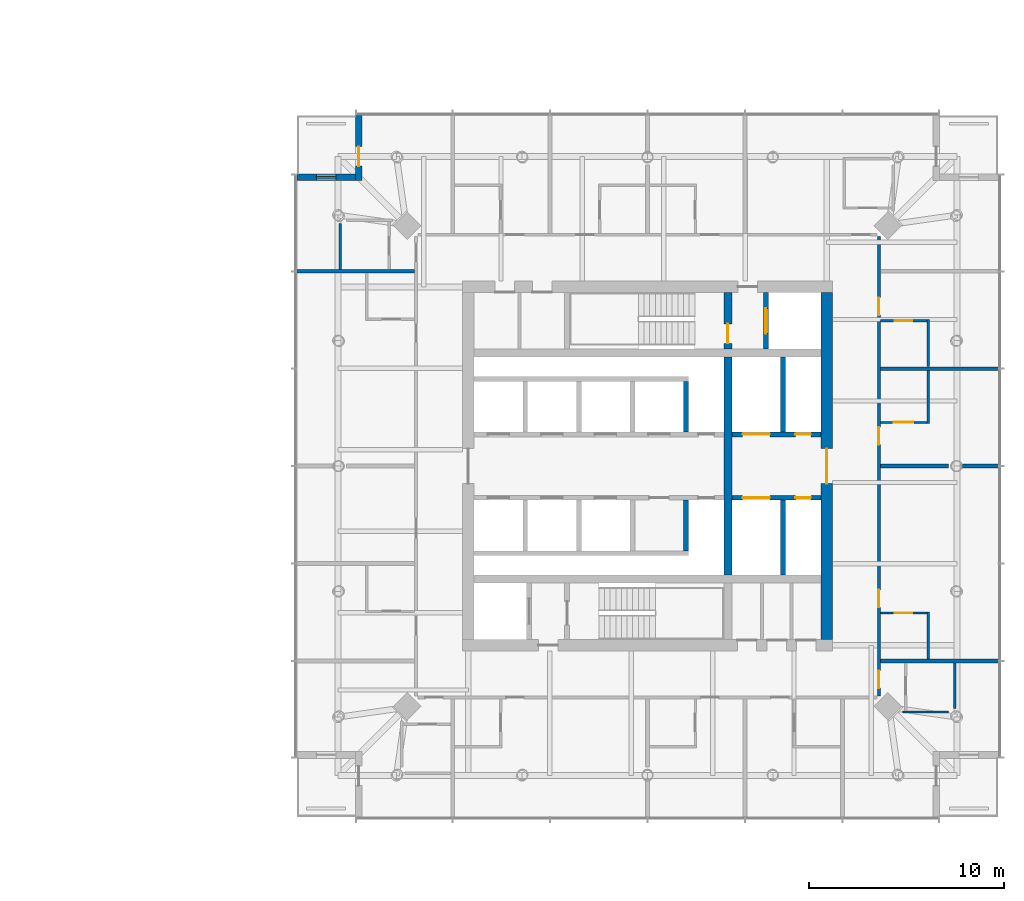
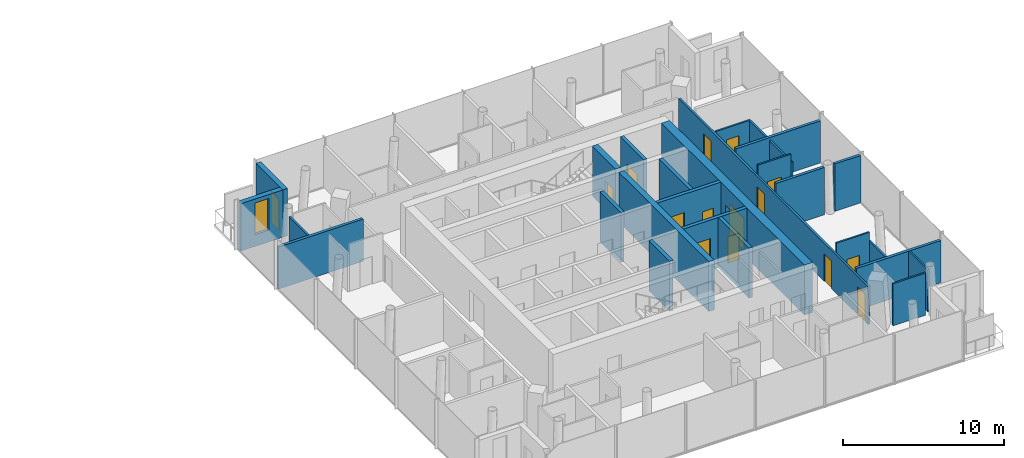
# One storey, part 14 of 18: 27 walls, 15 doors, 1 window, 16 openings.
"""IFC4 building model written with IfcOpenShell, lengths in metres."""

from ifc_helpers import new_model, si_unit, direction, frame, frame_2d, origin, place, context, subcontext, project, spatial, rectangle, extrude, material, layer, layer_set, type_object, element, fill, save


model = new_model("IFC4")

# Units and contexts
model_context = context("Model", 3, precision=1e-05, world=origin(), true_north=direction((0.0, 1.0)))
body_context = subcontext(model_context, "Body", "Model", "MODEL_VIEW")
ifc_project = project(units=[si_unit("LENGTHUNIT", "METRE"), si_unit("AREAUNIT", "SQUARE_METRE"), si_unit("VOLUMEUNIT", "CUBIC_METRE"), si_unit("PLANEANGLEUNIT", "RADIAN"), si_unit("MASSUNIT", "GRAM", prefix="KILO")], contexts=[model_context])

# Site, building, storey
site_placement = place(None, origin())
site = spatial("IfcSite", under=ifc_project, at=site_placement, CompositionType="ELEMENT")
building_placement = place(site_placement, origin())
building = spatial("IfcBuilding", under=site, at=building_placement, Name="Ostroluk Exchange", CompositionType="ELEMENT")
storey_placement = place(building_placement, frame((0.0, 0.0, 93.199951171875)))
storey = spatial("IfcBuildingStorey", under=building, at=storey_placement, Name="L23", CompositionType="ELEMENT", Elevation=93.199951171875)

# Wall
ifc_material_1 = material(Name="Concrete C50/60", Category="concrete")
ifc_layer_1 = layer(ifc_material_1, 0.39990234375)
ifc_layer_set_1 = layer_set([ifc_layer_1], Name="Core cross wall 400 C50/60")
wall_type_1 = type_object("IfcWallType", Name="Core cross wall 400 C50/60", PredefinedType="SHEAR", material=ifc_layer_set_1)
wall_1_placement = place(storey_placement, frame((121.1298828125, 40.39990234375, 0.0), z_axis=(0.0, 0.0, 1.0), x_axis=(0.0, 1.0, 0.0)))
element("IfcWall", 1, at=wall_1_placement, inside=storey, type_object=wall_type_1, Name="T2 core wall YE2", PredefinedType="SHEAR", context=body_context, shape_type="SweptSolid", body=[
    extrude(rectangle(XDim=11.2001953125, YDim=0.39990234375, at=frame_2d((5.60009765625, 0.0))), origin(), (0.0, 0.0, 1.0), 3.800048828125),
])

# Wall, opening, door
wall_2_placement = place(storey_placement, frame((121.1298828125, 52.0, 0.0), z_axis=(0.0, 0.0, 1.0), x_axis=(0.0, 1.0, 0.0)))
wall_2 = element("IfcWall", 2, at=wall_2_placement, inside=storey, type_object=wall_type_1, Name="T2 core wall YE3", PredefinedType="SHEAR", context=body_context, shape_type="SweptSolid", body=[
    extrude(rectangle(XDim=2.89990234375, YDim=0.39990234375, at=frame_2d((1.449951171875, 0.0))), origin(), (0.0, 0.0, 1.0), 3.800048828125),
])
opening_1_placement = place(wall_2_placement, frame((0.300048828125, 0.0, 0.0)))
opening_1 = element("IfcOpeningElement", 3, at=opening_1_placement, cuts=wall_2, Name="Opening FD60", PredefinedType="OPENING", context=body_context, shape_type="SweptSolid", body=[
    extrude(rectangle(XDim=1.0, YDim=2.10009765625, at=frame_2d((0.5, 1.050048828125))), frame((0.0, 0.2099609375, 0.0), z_axis=(0.0, -1.0, 0.0), x_axis=(1.0, 0.0, 0.0)), (0.0, 0.0, 1.0), 0.419921875),
])
ifc_material_2 = material(Name="Steel", Category="steel")
door_type_1 = type_object("IfcDoorType", Name="Fire door EI 60 1000 x 2100", OperationType="SINGLE_SWING_LEFT", PredefinedType="DOOR", material=ifc_material_2)
door_1_placement = place(opening_1_placement, origin())
door_1 = element("IfcDoor", 4, at=door_1_placement, inside=storey, type_object=door_type_1, Name="Stair T2-S2 door", OperationType="SINGLE_SWING_LEFT", OverallHeight=2.10009765625, OverallWidth=1.0, PredefinedType="DOOR", context=body_context, shape_type="SweptSolid", body=[
    extrude(rectangle(XDim=1.0, YDim=2.10009765625, at=frame_2d((0.5, 1.050048828125))), frame((0.0, 0.02490234375, 0.0), z_axis=(0.0, -1.0, 0.0), x_axis=(1.0, 0.0, 0.0)), (0.0, 0.0, 1.0), 0.050048828125),
])
fill(opening_1, door_1)

ifc_material_3 = material(Name="Concrete C40/50", Category="concrete")
ifc_layer_2 = layer(ifc_material_3, 0.25)
ifc_layer_set_2 = layer_set([ifc_layer_2], Name="Core shaft wall 250")
wall_type_2 = type_object("IfcWallType", Name="Core shaft wall 250", PredefinedType="SHEAR", material=ifc_layer_set_2)
wall_3_placement = place(storey_placement, frame((123.074951171875, 52.0, 0.0), z_axis=(0.0, 0.0, 1.0), x_axis=(0.0, 1.0, 0.0)))
wall_3 = element("IfcWall", 5, at=wall_3_placement, inside=storey, type_object=wall_type_2, Name="Firefighting lift shaft wall", PredefinedType="SHEAR", context=body_context, shape_type="SweptSolid", body=[
    extrude(rectangle(XDim=2.89990234375, YDim=0.25, at=frame_2d((1.449951171875, 0.0))), origin(), (0.0, 0.0, 1.0), 3.800048828125),
])
opening_2_placement = place(wall_3_placement, frame((0.800048828125, 0.0, 0.0)))
opening_2 = element("IfcOpeningElement", 6, at=opening_2_placement, cuts=wall_3, Name="Opening LD2", PredefinedType="OPENING", context=body_context, shape_type="SweptSolid", body=[
    extrude(rectangle(XDim=1.300048828125, YDim=2.199951171875, at=frame_2d((0.64990234375, 1.10009765625))), frame((0.0, 0.135009765625, 0.0), z_axis=(0.0, -1.0, 0.0), x_axis=(1.0, 0.0, 0.0)), (0.0, 0.0, 1.0), 0.27001953125),
])
ifc_material_4 = material(Name="Stainless steel", Category="steel")
door_type_2 = type_object("IfcDoorType", Name="Lift landing door E 60 1300 x 2200", OperationType="DOUBLE_DOOR_SLIDING", PredefinedType="DOOR", material=ifc_material_4)
door_2_placement = place(opening_2_placement, origin())
door_2 = element("IfcDoor", 7, at=door_2_placement, inside=storey, type_object=door_type_2, Name="Lift HF2 landing door", OperationType="DOUBLE_DOOR_SLIDING", OverallHeight=2.199951171875, OverallWidth=1.300048828125, PredefinedType="DOOR", context=body_context, shape_type="SweptSolid", body=[
    extrude(rectangle(XDim=1.300048828125, YDim=2.199951171875, at=frame_2d((0.64990234375, 1.10009765625))), frame((0.0, 0.02490234375, 0.0), z_axis=(0.0, -1.0, 0.0), x_axis=(1.0, 0.0, 0.0)), (0.0, 0.0, 1.0), 0.050048828125),
])
fill(opening_2, door_2)

# Walls
for number, where, z_axis, x_axis, name in (
    (8, (118.97509765625, 47.75, 0.0), (0.0, 0.0, 1.0), (0.0, 1.0, 0.0), "Lift shaft wall"),
    (9, (118.97509765625, 44.25, 0.0), (0.0, 0.0, 1.0), (0.0, -1.0, 0.0), "Lift shaft wall"),
):
    element("IfcWall", number, at=place(storey_placement, frame(where, z_axis=z_axis, x_axis=x_axis)), inside=storey, type_object=wall_type_2, Name=name, PredefinedType="SHEAR", context=body_context, shape_type="SweptSolid", body=[
        extrude(rectangle(XDim=2.60009765625, YDim=0.25, at=frame_2d((1.300048828125, 0.0))), origin(), (0.0, 0.0, 1.0), 3.800048828125),
    ])
wall_4_placement = place(storey_placement, frame((123.955078125, 47.75, 0.0), z_axis=(0.0, 0.0, 1.0), x_axis=(0.0, 1.0, 0.0)))
element("IfcWall", 10, at=wall_4_placement, inside=storey, type_object=wall_type_2, Name="Lift shaft wall", PredefinedType="SHEAR", context=body_context, shape_type="SweptSolid", body=[
    extrude(rectangle(XDim=3.85009765625, YDim=0.25, at=frame_2d((1.925048828125, 0.0))), origin(), (0.0, 0.0, 1.0), 3.800048828125),
])

# Wall, openings, doors
wall_5_placement = place(storey_placement, frame((121.330078125, 47.625, 0.0), z_axis=(0.0, 0.0, 1.0), x_axis=(1.0, 0.0, 0.0)))
wall_5 = element("IfcWall", 11, at=wall_5_placement, inside=storey, type_object=wall_type_2, Name="Lift shaft front wall", PredefinedType="SHEAR", context=body_context, shape_type="SweptSolid", body=[
    extrude(rectangle(XDim=4.56982421875, YDim=0.25, at=frame_2d((2.284912109375, 0.0))), origin(), (0.0, 0.0, 1.0), 3.800048828125),
])
opening_3_placement = place(wall_5_placement, frame((0.550048828125, 0.0, 0.0)))
opening_3 = element("IfcOpeningElement", 12, at=opening_3_placement, cuts=wall_5, Name="Opening LD3", PredefinedType="OPENING", context=body_context, shape_type="SweptSolid", body=[
    extrude(rectangle(XDim=1.39990234375, YDim=2.39990234375, at=frame_2d((0.699951171875, 1.199951171875))), frame((0.0, 0.135009765625, 0.0), z_axis=(0.0, -1.0, 0.0), x_axis=(1.0, 0.0, 0.0)), (0.0, 0.0, 1.0), 0.27001953125),
])
opening_4_placement = place(wall_5_placement, frame((3.260009765625, 0.0, 0.0)))
opening_4 = element("IfcOpeningElement", 13, at=opening_4_placement, cuts=wall_5, Name="Opening RD60", PredefinedType="OPENING", context=body_context, shape_type="SweptSolid", body=[
    extrude(rectangle(XDim=0.800048828125, YDim=2.0, at=frame_2d((0.39990234375, 1.0))), frame((0.0, 0.135009765625, 0.0), z_axis=(0.0, -1.0, 0.0), x_axis=(1.0, 0.0, 0.0)), (0.0, 0.0, 1.0), 0.27001953125),
])
ifc_material_5 = material(Name="Stainless steel", Category="steel")
door_type_3 = type_object("IfcDoorType", Name="Goods lift landing door E 60 1400 x 2400", OperationType="DOUBLE_DOOR_SLIDING", PredefinedType="DOOR", material=ifc_material_5)
door_3_placement = place(opening_3_placement, origin())
door_3 = element("IfcDoor", 14, at=door_3_placement, inside=storey, type_object=door_type_3, Name="Lift HS1 landing door", OperationType="DOUBLE_DOOR_SLIDING", OverallHeight=2.39990234375, OverallWidth=1.39990234375, PredefinedType="DOOR", context=body_context, shape_type="SweptSolid", body=[
    extrude(rectangle(XDim=1.39990234375, YDim=2.39990234375, at=frame_2d((0.699951171875, 1.199951171875))), frame((0.0, 0.02490234375, 0.0), z_axis=(0.0, -1.0, 0.0), x_axis=(1.0, 0.0, 0.0)), (0.0, 0.0, 1.0), 0.050048828125),
])
fill(opening_3, door_3)
ifc_material_6 = material(Name="Steel", Category="steel")
door_type_4 = type_object("IfcDoorType", Name="Riser access door EI 60 800 x 2000", OperationType="SINGLE_SWING_LEFT", PredefinedType="DOOR", material=ifc_material_6)
door_4_placement = place(opening_4_placement, origin())
door_4 = element("IfcDoor", 15, at=door_4_placement, inside=storey, type_object=door_type_4, Name="Riser access door", OperationType="SINGLE_SWING_RIGHT", OverallHeight=2.0, OverallWidth=0.800048828125, PredefinedType="DOOR", context=body_context, shape_type="SweptSolid", body=[
    extrude(rectangle(XDim=0.800048828125, YDim=2.0, at=frame_2d((0.39990234375, 1.0))), frame((0.0, 0.02490234375, 0.0), z_axis=(0.0, -1.0, 0.0), x_axis=(1.0, 0.0, 0.0)), (0.0, 0.0, 1.0), 0.050048828125),
])
fill(opening_4, door_4)

# Wall
wall_6_placement = place(storey_placement, frame((123.955078125, 44.25, 0.0), z_axis=(0.0, 0.0, 1.0), x_axis=(0.0, -1.0, 0.0)))
element("IfcWall", 16, at=wall_6_placement, inside=storey, type_object=wall_type_2, Name="Lift shaft wall", PredefinedType="SHEAR", context=body_context, shape_type="SweptSolid", body=[
    extrude(rectangle(XDim=3.85009765625, YDim=0.25, at=frame_2d((1.925048828125, 0.0))), origin(), (0.0, 0.0, 1.0), 3.800048828125),
])

# Wall, openings, doors
wall_7_placement = place(storey_placement, frame((121.330078125, 44.375, 0.0), z_axis=(0.0, 0.0, 1.0), x_axis=(1.0, 0.0, 0.0)))
wall_7 = element("IfcWall", 17, at=wall_7_placement, inside=storey, type_object=wall_type_2, Name="Lift shaft front wall", PredefinedType="SHEAR", context=body_context, shape_type="SweptSolid", body=[
    extrude(rectangle(XDim=4.56982421875, YDim=0.25, at=frame_2d((2.284912109375, 0.0))), origin(), (0.0, 0.0, 1.0), 3.800048828125),
])
opening_5_placement = place(wall_7_placement, frame((0.550048828125, 0.0, 0.0)))
opening_5 = element("IfcOpeningElement", 18, at=opening_5_placement, cuts=wall_7, Name="Opening LD3", PredefinedType="OPENING", context=body_context, shape_type="SweptSolid", body=[
    extrude(rectangle(XDim=1.39990234375, YDim=2.39990234375, at=frame_2d((0.699951171875, 1.199951171875))), frame((0.0, 0.135009765625, 0.0), z_axis=(0.0, -1.0, 0.0), x_axis=(1.0, 0.0, 0.0)), (0.0, 0.0, 1.0), 0.27001953125),
])
opening_6_placement = place(wall_7_placement, frame((3.260009765625, 0.0, 0.0)))
opening_6 = element("IfcOpeningElement", 19, at=opening_6_placement, cuts=wall_7, Name="Opening RD60", PredefinedType="OPENING", context=body_context, shape_type="SweptSolid", body=[
    extrude(rectangle(XDim=0.800048828125, YDim=2.0, at=frame_2d((0.39990234375, 1.0))), frame((0.0, 0.135009765625, 0.0), z_axis=(0.0, -1.0, 0.0), x_axis=(1.0, 0.0, 0.0)), (0.0, 0.0, 1.0), 0.27001953125),
])
door_5_placement = place(opening_5_placement, origin())
door_5 = element("IfcDoor", 20, at=door_5_placement, inside=storey, type_object=door_type_3, Name="Lift HS2 landing door", OperationType="DOUBLE_DOOR_SLIDING", OverallHeight=2.39990234375, OverallWidth=1.39990234375, PredefinedType="DOOR", context=body_context, shape_type="SweptSolid", body=[
    extrude(rectangle(XDim=1.39990234375, YDim=2.39990234375, at=frame_2d((0.699951171875, 1.199951171875))), frame((0.0, 0.02490234375, 0.0), z_axis=(0.0, -1.0, 0.0), x_axis=(1.0, 0.0, 0.0)), (0.0, 0.0, 1.0), 0.050048828125),
])
fill(opening_5, door_5)
door_6_placement = place(opening_6_placement, origin())
door_6 = element("IfcDoor", 21, at=door_6_placement, inside=storey, type_object=door_type_4, Name="Riser access door", OperationType="SINGLE_SWING_RIGHT", OverallHeight=2.0, OverallWidth=0.800048828125, PredefinedType="DOOR", context=body_context, shape_type="SweptSolid", body=[
    extrude(rectangle(XDim=0.800048828125, YDim=2.0, at=frame_2d((0.39990234375, 1.0))), frame((0.0, 0.02490234375, 0.0), z_axis=(0.0, -1.0, 0.0), x_axis=(1.0, 0.0, 0.0)), (0.0, 0.0, 1.0), 0.050048828125),
])
fill(opening_6, door_6)

# Wall, opening, door
ifc_material_7 = material(Name="Concrete C50/60", Category="concrete")
ifc_layer_3 = layer(ifc_material_7, 0.60009765625)
ifc_layer_set_3 = layer_set([ifc_layer_3], Name="Core wall 600 C50/60")
wall_type_3 = type_object("IfcWallType", Name="Core wall 600 C50/60", PredefinedType="SHEAR", material=ifc_layer_set_3)
wall_8_placement = place(storey_placement, frame((126.199951171875, 37.10009765625, 0.0), z_axis=(0.0, 0.0, 1.0), x_axis=(0.0, 1.0, 0.0)))
wall_8 = element("IfcWall", 22, at=wall_8_placement, inside=storey, type_object=wall_type_3, Name="T2 core wall E", PredefinedType="SHEAR", context=body_context, shape_type="SweptSolid", body=[
    extrude(rectangle(XDim=17.7998046875, YDim=0.60009765625, at=frame_2d((8.89990234375, 0.0))), origin(), (0.0, 0.0, 1.0), 3.800048828125),
])
opening_7_placement = place(wall_8_placement, frame((8.0, 0.0, 0.0)))
opening_7 = element("IfcOpeningElement", 23, at=opening_7_placement, cuts=wall_8, Name="Opening FD30D", PredefinedType="OPENING", context=body_context, shape_type="SweptSolid", body=[
    extrude(rectangle(XDim=1.800048828125, YDim=2.39990234375, at=frame_2d((0.89990234375, 1.199951171875))), frame((0.0, 0.31005859375, 0.0), z_axis=(0.0, -1.0, 0.0), x_axis=(1.0, 0.0, 0.0)), (0.0, 0.0, 1.0), 0.6201171875),
])
ifc_material_8 = material(Name="Timber", Category="wood")
door_type_5 = type_object("IfcDoorType", Name="Lobby double door EI 30 1800 x 2400", OperationType="DOUBLE_DOOR_SINGLE_SWING", PredefinedType="DOOR", material=ifc_material_8)
door_7_placement = place(opening_7_placement, origin())
door_7 = element("IfcDoor", 24, at=door_7_placement, inside=storey, type_object=door_type_5, Name="Lift lobby doors", OperationType="DOUBLE_DOOR_SINGLE_SWING", OverallHeight=2.39990234375, OverallWidth=1.800048828125, PredefinedType="DOOR", context=body_context, shape_type="SweptSolid", body=[
    extrude(rectangle(XDim=1.800048828125, YDim=2.39990234375, at=frame_2d((0.89990234375, 1.199951171875))), frame((0.0, 0.02490234375, 0.0), z_axis=(0.0, -1.0, 0.0), x_axis=(1.0, 0.0, 0.0)), (0.0, 0.0, 1.0), 0.050048828125),
])
fill(opening_7, door_7)

ifc_material_9 = material(Name="Limestone", Category="masonry")
ifc_layer_4 = layer(ifc_material_9, 0.35009765625)
ifc_layer_set_4 = layer_set([ifc_layer_4], Name="Limestone facade wall 350")
wall_type_4 = type_object("IfcWallType", Name="Limestone facade wall 350", PredefinedType="SOLIDWALL", material=ifc_layer_set_4)
wall_9_placement = place(storey_placement, frame((102.175048828125, 64.0, 0.0), z_axis=(0.0, 0.0, 1.0), x_axis=(0.0, -1.0, 0.0)))
wall_9 = element("IfcWall", 25, at=wall_9_placement, inside=storey, type_object=wall_type_4, Name="Hotel tower NW corner wall L23 a", PredefinedType="SOLIDWALL", context=body_context, shape_type="SweptSolid", body=[
    extrude(rectangle(XDim=3.35009765625, YDim=0.35009765625, at=frame_2d((1.675048828125, 0.0))), origin(), (0.0, 0.0, 1.0), 3.60009765625),
])
opening_8_placement = place(wall_9_placement, frame((1.60009765625, 0.0, 0.0)))
opening_8 = element("IfcOpeningElement", 26, at=opening_8_placement, cuts=wall_9, Name="Opening D-B1", PredefinedType="OPENING", context=body_context, shape_type="SweptSolid", body=[
    extrude(rectangle(XDim=1.0, YDim=2.39990234375, at=frame_2d((0.5, 1.199951171875))), frame((0.0, 0.18505859375, 0.0), z_axis=(0.0, -1.0, 0.0), x_axis=(1.0, 0.0, 0.0)), (0.0, 0.0, 1.0), 0.3701171875),
])
ifc_material_10 = material(Name="Bronze framed glazed door", Category="aluminium")
door_type_6 = type_object("IfcDoorType", Name="Balcony door 1000 x 2400", OperationType="SINGLE_SWING_LEFT", PredefinedType="DOOR", material=ifc_material_10)
door_8_placement = place(opening_8_placement, origin())
door_8 = element("IfcDoor", 27, at=door_8_placement, inside=storey, type_object=door_type_6, Name="Hotel tower NW balcony door L23", OperationType="SINGLE_SWING_RIGHT", OverallHeight=2.39990234375, OverallWidth=1.0, PredefinedType="DOOR", context=body_context, shape_type="SweptSolid", body=[
    extrude(rectangle(XDim=1.0, YDim=2.39990234375, at=frame_2d((0.5, 1.199951171875))), frame((0.0, 0.02490234375, 0.0), z_axis=(0.0, -1.0, 0.0), x_axis=(1.0, 0.0, 0.0)), (0.0, 0.0, 1.0), 0.050048828125),
])
fill(opening_8, door_8)

# Wall, opening, window
wall_10_placement = place(storey_placement, frame((102.0, 60.824951171875, 0.0), z_axis=(0.0, 0.0, 1.0), x_axis=(-1.0, 0.0, 0.0)))
wall_10 = element("IfcWall", 28, at=wall_10_placement, inside=storey, type_object=wall_type_4, Name="Hotel tower NW corner wall L23 b", PredefinedType="SOLIDWALL", context=body_context, shape_type="SweptSolid", body=[
    extrude(rectangle(XDim=3.0, YDim=0.35009765625, at=frame_2d((1.5, 0.0))), origin(), (0.0, 0.0, 1.0), 3.60009765625),
])
opening_9_placement = place(wall_10_placement, frame((1.0, 0.0, 0.89990234375)))
opening_9 = element("IfcOpeningElement", 29, at=opening_9_placement, cuts=wall_10, Name="Opening WN-L3", PredefinedType="OPENING", context=body_context, shape_type="SweptSolid", body=[
    extrude(rectangle(XDim=1.0, YDim=2.39990234375, at=frame_2d((0.5, 1.199951171875))), frame((0.0, 0.18505859375, 0.0), z_axis=(0.0, -1.0, 0.0), x_axis=(1.0, 0.0, 0.0)), (0.0, 0.0, 1.0), 0.3701171875),
])
ifc_material_11 = material(Name="Laminated clear glass", Category="glass")
window_type = type_object("IfcWindowType", Name="Hotel lancet window 1000 x 2400", PartitioningType="SINGLE_PANEL", PredefinedType="WINDOW", material=ifc_material_11)
window_placement = place(opening_9_placement, origin())
window = element("IfcWindow", 30, at=window_placement, inside=storey, type_object=window_type, Name="Hotel tower NW lancet window L23", OverallHeight=2.39990234375, OverallWidth=1.0, PartitioningType="SINGLE_PANEL", PredefinedType="WINDOW", context=body_context, shape_type="SweptSolid", body=[
    extrude(rectangle(XDim=1.0, YDim=2.39990234375, at=frame_2d((0.5, 1.199951171875))), frame((0.0, 0.030029296875, 0.0), z_axis=(0.0, -1.0, 0.0), x_axis=(1.0, 0.0, 0.0)), (0.0, 0.0, 1.0), 0.06005859375),
])
fill(opening_9, window)

# Walls
ifc_material_12 = material(Name="Gypsum plasterboard partition, moisture resistant", Category="gypsum")
ifc_layer_5 = layer(ifc_material_12, 0.1201171875)
ifc_layer_set_5 = layer_set([ifc_layer_5], Name="Plasterboard en-suite wall 120")
wall_type_5 = type_object("IfcWallType", Name="Plasterboard en-suite wall 120", PredefinedType="PARTITIONING", material=ifc_layer_set_5)
wall_11_placement = place(storey_placement, frame((132.77001953125, 35.89990234375, 0.0), z_axis=(0.0, 0.0, 1.0), x_axis=(0.0, -1.0, 0.0)))
element("IfcWall", 31, at=wall_11_placement, inside=storey, type_object=wall_type_5, Name="En-suite wall", PredefinedType="PARTITIONING", context=body_context, shape_type="SweptSolid", body=[
    extrude(rectangle(XDim=2.344482421875, YDim=0.1201171875, at=frame_2d((1.17236328125, 0.0))), origin(), (0.0, 0.0, 1.0), 3.199951171875),
])
wall_12_placement = place(storey_placement, frame((130.094970703125, 33.3798828125, 0.0), z_axis=(0.0, 0.0, 1.0), x_axis=(1.0, 0.0, 0.0)))
element("IfcWall", 32, at=wall_12_placement, inside=storey, type_object=wall_type_5, Name="En-suite wall", PredefinedType="PARTITIONING", context=body_context, shape_type="SweptSolid", body=[
    extrude(rectangle(XDim=2.349609375, YDim=0.1201171875, at=frame_2d((1.1748046875, 0.0))), origin(), (0.0, 0.0, 1.0), 3.199951171875),
])
wall_13_placement = place(storey_placement, frame((131.409912109375, 36.10009765625, 0.0), z_axis=(0.0, 0.0, 1.0), x_axis=(0.0, 1.0, 0.0)))
element("IfcWall", 33, at=wall_13_placement, inside=storey, type_object=wall_type_5, Name="En-suite wall", PredefinedType="PARTITIONING", context=body_context, shape_type="SweptSolid", body=[
    extrude(rectangle(XDim=2.419921875, YDim=0.1201171875, at=frame_2d((1.2099609375, 0.0))), origin(), (0.0, 0.0, 1.0), 2.900146484375),
])

# Wall, opening, door
wall_14_placement = place(storey_placement, frame((128.949951171875, 38.4599609375, 0.0), z_axis=(0.0, 0.0, 1.0), x_axis=(1.0, 0.0, 0.0)))
wall_14 = element("IfcWall", 34, at=wall_14_placement, inside=storey, type_object=wall_type_5, Name="En-suite wall", PredefinedType="PARTITIONING", context=body_context, shape_type="SweptSolid", body=[
    extrude(rectangle(XDim=2.400146484375, YDim=0.1201171875, at=frame_2d((1.2001953125, 0.0))), origin(), (0.0, 0.0, 1.0), 3.60009765625),
])
opening_10_placement = place(wall_14_placement, frame((0.75, 0.0, 0.0)))
opening_10 = element("IfcOpeningElement", 35, at=opening_10_placement, cuts=wall_14, Name="Opening D-02", PredefinedType="OPENING", context=body_context, shape_type="SweptSolid", body=[
    extrude(rectangle(XDim=0.89990234375, YDim=2.10009765625, at=frame_2d((0.449951171875, 1.050048828125))), frame((0.0, 0.070068359375, 0.0), z_axis=(0.0, -1.0, 0.0), x_axis=(1.0, 0.0, 0.0)), (0.0, 0.0, 1.0), 0.14013671875),
])
ifc_material_13 = material(Name="Timber", Category="wood")
door_type_7 = type_object("IfcDoorType", Name="En-suite door 900 x 2100", OperationType="SINGLE_SWING_LEFT", PredefinedType="DOOR", material=ifc_material_13)
door_9_placement = place(opening_10_placement, origin())
door_9 = element("IfcDoor", 36, at=door_9_placement, inside=storey, type_object=door_type_7, Name="En-suite door 2302", OperationType="SINGLE_SWING_LEFT", OverallHeight=2.10009765625, OverallWidth=0.89990234375, PredefinedType="DOOR", context=body_context, shape_type="SweptSolid", body=[
    extrude(rectangle(XDim=0.89990234375, YDim=2.10009765625, at=frame_2d((0.449951171875, 1.050048828125))), frame((0.0, 0.02490234375, 0.0), z_axis=(0.0, -1.0, 0.0), x_axis=(1.0, 0.0, 0.0)), (0.0, 0.0, 1.0), 0.050048828125),
])
fill(opening_10, door_9)

# Wall
wall_15_placement = place(storey_placement, frame((131.409912109375, 48.179931640625, 0.0), z_axis=(0.0, 0.0, 1.0), x_axis=(0.0, 1.0, 0.0)))
element("IfcWall", 37, at=wall_15_placement, inside=storey, type_object=wall_type_5, Name="En-suite wall", PredefinedType="PARTITIONING", context=body_context, shape_type="SweptSolid", body=[
    extrude(rectangle(XDim=2.719970703125, YDim=0.1201171875, at=frame_2d((1.35986328125, 0.0))), origin(), (0.0, 0.0, 1.0), 3.0),
])

# Wall, opening, door
wall_16_placement = place(storey_placement, frame((128.949951171875, 48.239990234375, 0.0), z_axis=(0.0, 0.0, 1.0), x_axis=(1.0, 0.0, 0.0)))
wall_16 = element("IfcWall", 38, at=wall_16_placement, inside=storey, type_object=wall_type_5, Name="En-suite wall", PredefinedType="PARTITIONING", context=body_context, shape_type="SweptSolid", body=[
    extrude(rectangle(XDim=2.400146484375, YDim=0.1201171875, at=frame_2d((1.2001953125, 0.0))), origin(), (0.0, 0.0, 1.0), 3.60009765625),
])
opening_11_placement = place(wall_16_placement, frame((0.699951171875, 0.0, 0.0)))
opening_11 = element("IfcOpeningElement", 39, at=opening_11_placement, cuts=wall_16, Name="Opening D-03", PredefinedType="OPENING", context=body_context, shape_type="SweptSolid", body=[
    extrude(rectangle(XDim=1.0, YDim=2.10009765625, at=frame_2d((0.5, 1.050048828125))), frame((0.0, 0.070068359375, 0.0), z_axis=(0.0, -1.0, 0.0), x_axis=(1.0, 0.0, 0.0)), (0.0, 0.0, 1.0), 0.14013671875),
])
ifc_material_14 = material(Name="Timber", Category="wood")
door_type_8 = type_object("IfcDoorType", Name="Internal door 1000 x 2100", OperationType="SINGLE_SWING_LEFT", PredefinedType="DOOR", material=ifc_material_14)
door_10_placement = place(opening_11_placement, origin())
door_10 = element("IfcDoor", 40, at=door_10_placement, inside=storey, type_object=door_type_8, Name="En-suite door 2303", OperationType="SINGLE_SWING_LEFT", OverallHeight=2.10009765625, OverallWidth=1.0, PredefinedType="DOOR", context=body_context, shape_type="SweptSolid", body=[
    extrude(rectangle(XDim=1.0, YDim=2.10009765625, at=frame_2d((0.5, 1.050048828125))), frame((0.0, 0.02490234375, 0.0), z_axis=(0.0, -1.0, 0.0), x_axis=(1.0, 0.0, 0.0)), (0.0, 0.0, 1.0), 0.050048828125),
])
fill(opening_11, door_10)

# Wall
wall_17_placement = place(storey_placement, frame((131.409912109375, 51.10009765625, 0.0), z_axis=(0.0, 0.0, 1.0), x_axis=(0.0, 1.0, 0.0)))
element("IfcWall", 41, at=wall_17_placement, inside=storey, type_object=wall_type_5, Name="En-suite wall", PredefinedType="PARTITIONING", context=body_context, shape_type="SweptSolid", body=[
    extrude(rectangle(XDim=2.419921875, YDim=0.1201171875, at=frame_2d((1.2099609375, 0.0))), origin(), (0.0, 0.0, 1.0), 3.0),
])

# Wall, opening, door
wall_18_placement = place(storey_placement, frame((128.949951171875, 53.4599609375, 0.0), z_axis=(0.0, 0.0, 1.0), x_axis=(1.0, 0.0, 0.0)))
wall_18 = element("IfcWall", 42, at=wall_18_placement, inside=storey, type_object=wall_type_5, Name="En-suite wall", PredefinedType="PARTITIONING", context=body_context, shape_type="SweptSolid", body=[
    extrude(rectangle(XDim=2.400146484375, YDim=0.1201171875, at=frame_2d((1.2001953125, 0.0))), origin(), (0.0, 0.0, 1.0), 3.0),
])
opening_12_placement = place(wall_18_placement, frame((0.75, 0.0, 0.0)))
opening_12 = element("IfcOpeningElement", 43, at=opening_12_placement, cuts=wall_18, Name="Opening D-02", PredefinedType="OPENING", context=body_context, shape_type="SweptSolid", body=[
    extrude(rectangle(XDim=0.89990234375, YDim=2.10009765625, at=frame_2d((0.449951171875, 1.050048828125))), frame((0.0, 0.070068359375, 0.0), z_axis=(0.0, -1.0, 0.0), x_axis=(1.0, 0.0, 0.0)), (0.0, 0.0, 1.0), 0.14013671875),
])
door_11_placement = place(opening_12_placement, origin())
door_11 = element("IfcDoor", 44, at=door_11_placement, inside=storey, type_object=door_type_7, Name="En-suite door 2304", OperationType="SINGLE_SWING_LEFT", OverallHeight=2.10009765625, OverallWidth=0.89990234375, PredefinedType="DOOR", context=body_context, shape_type="SweptSolid", body=[
    extrude(rectangle(XDim=0.89990234375, YDim=2.10009765625, at=frame_2d((0.449951171875, 1.050048828125))), frame((0.0, 0.02490234375, 0.0), z_axis=(0.0, -1.0, 0.0), x_axis=(1.0, 0.0, 0.0)), (0.0, 0.0, 1.0), 0.050048828125),
])
fill(opening_12, door_11)

# Wall
wall_19_placement = place(storey_placement, frame((101.22998046875, 56.10009765625, 0.0), z_axis=(0.0, 0.0, 1.0), x_axis=(0.0, 1.0, 0.0)))
element("IfcWall", 45, at=wall_19_placement, inside=storey, type_object=wall_type_5, Name="En-suite wall", PredefinedType="PARTITIONING", context=body_context, shape_type="SweptSolid", body=[
    extrude(rectangle(XDim=2.344482421875, YDim=0.1201171875, at=frame_2d((1.17236328125, 0.0))), origin(), (0.0, 0.0, 1.0), 3.199951171875),
])

# Wall, openings, doors
ifc_material_15 = material(Name="Gypsum plasterboard partition", Category="gypsum")
ifc_layer_6 = layer(ifc_material_15, 0.14990234375)
ifc_layer_set_6 = layer_set([ifc_layer_6], Name="Plasterboard partition 150")
wall_type_6 = type_object("IfcWallType", Name="Plasterboard partition 150", PredefinedType="PARTITIONING", material=ifc_layer_set_6)
wall_20_placement = place(storey_placement, frame((128.875, 34.208740234375, 0.0), z_axis=(0.0, 0.0, 1.0), x_axis=(0.0, 1.0, 0.0)))
wall_20 = element("IfcWall", 46, at=wall_20_placement, inside=storey, type_object=wall_type_6, Name="Corridor wall", PredefinedType="PARTITIONING", context=body_context, shape_type="SweptSolid", body=[
    extrude(rectangle(XDim=23.58251953125, YDim=0.14990234375, at=frame_2d((11.791259765625, 0.0))), origin(), (0.0, 0.0, 1.0), 2.900146484375),
])
opening_13_placement = place(wall_20_placement, frame((0.39111328125, 0.0, 0.0)))
opening_13 = element("IfcOpeningElement", 47, at=opening_13_placement, cuts=wall_20, Name="Opening D-01", PredefinedType="OPENING", context=body_context, shape_type="SweptSolid", body=[
    extrude(rectangle(XDim=0.89990234375, YDim=2.10009765625, at=frame_2d((0.449951171875, 1.050048828125))), frame((0.0, 0.0849609375, 0.0), z_axis=(0.0, -1.0, 0.0), x_axis=(1.0, 0.0, 0.0)), (0.0, 0.0, 1.0), 0.169921875),
])
opening_14_placement = place(wall_20_placement, frame((4.541259765625, 0.0, 0.0)))
opening_14 = element("IfcOpeningElement", 48, at=opening_14_placement, cuts=wall_20, Name="Opening D-01", PredefinedType="OPENING", context=body_context, shape_type="SweptSolid", body=[
    extrude(rectangle(XDim=0.89990234375, YDim=2.10009765625, at=frame_2d((0.449951171875, 1.050048828125))), frame((0.0, 0.0849609375, 0.0), z_axis=(0.0, -1.0, 0.0), x_axis=(1.0, 0.0, 0.0)), (0.0, 0.0, 1.0), 0.169921875),
])
opening_15_placement = place(wall_20_placement, frame((12.89111328125, 0.0, 0.0)))
opening_15 = element("IfcOpeningElement", 49, at=opening_15_placement, cuts=wall_20, Name="Opening D-01", PredefinedType="OPENING", context=body_context, shape_type="SweptSolid", body=[
    extrude(rectangle(XDim=0.89990234375, YDim=2.10009765625, at=frame_2d((0.449951171875, 1.050048828125))), frame((0.0, 0.0849609375, 0.0), z_axis=(0.0, -1.0, 0.0), x_axis=(1.0, 0.0, 0.0)), (0.0, 0.0, 1.0), 0.169921875),
])
opening_16_placement = place(wall_20_placement, frame((19.541259765625, 0.0, 0.0)))
opening_16 = element("IfcOpeningElement", 50, at=opening_16_placement, cuts=wall_20, Name="Opening D-01", PredefinedType="OPENING", context=body_context, shape_type="SweptSolid", body=[
    extrude(rectangle(XDim=0.89990234375, YDim=2.10009765625, at=frame_2d((0.449951171875, 1.050048828125))), frame((0.0, 0.0849609375, 0.0), z_axis=(0.0, -1.0, 0.0), x_axis=(1.0, 0.0, 0.0)), (0.0, 0.0, 1.0), 0.169921875),
])
ifc_material_16 = material(Name="Timber", Category="wood")
door_type_9 = type_object("IfcDoorType", Name="Hotel room door EI 30 Sa 900 x 2100", OperationType="SINGLE_SWING_LEFT", PredefinedType="DOOR", material=ifc_material_16)
door_12_placement = place(opening_13_placement, origin())
door_12 = element("IfcDoor", 51, at=door_12_placement, inside=storey, type_object=door_type_9, Name="Room door 2301", OperationType="SINGLE_SWING_LEFT", OverallHeight=2.10009765625, OverallWidth=0.89990234375, PredefinedType="DOOR", context=body_context, shape_type="SweptSolid", body=[
    extrude(rectangle(XDim=0.89990234375, YDim=2.10009765625, at=frame_2d((0.449951171875, 1.050048828125))), frame((0.0, 0.02490234375, 0.0), z_axis=(0.0, -1.0, 0.0), x_axis=(1.0, 0.0, 0.0)), (0.0, 0.0, 1.0), 0.050048828125),
])
fill(opening_13, door_12)
door_13_placement = place(opening_14_placement, origin())
door_13 = element("IfcDoor", 52, at=door_13_placement, inside=storey, type_object=door_type_9, Name="Room door 2302", OperationType="SINGLE_SWING_LEFT", OverallHeight=2.10009765625, OverallWidth=0.89990234375, PredefinedType="DOOR", context=body_context, shape_type="SweptSolid", body=[
    extrude(rectangle(XDim=0.89990234375, YDim=2.10009765625, at=frame_2d((0.449951171875, 1.050048828125))), frame((0.0, 0.02490234375, 0.0), z_axis=(0.0, -1.0, 0.0), x_axis=(1.0, 0.0, 0.0)), (0.0, 0.0, 1.0), 0.050048828125),
])
fill(opening_14, door_13)
door_14_placement = place(opening_15_placement, origin())
door_14 = element("IfcDoor", 53, at=door_14_placement, inside=storey, type_object=door_type_9, Name="Room door 2303", OperationType="SINGLE_SWING_RIGHT", OverallHeight=2.10009765625, OverallWidth=0.89990234375, PredefinedType="DOOR", context=body_context, shape_type="SweptSolid", body=[
    extrude(rectangle(XDim=0.89990234375, YDim=2.10009765625, at=frame_2d((0.449951171875, 1.050048828125))), frame((0.0, 0.02490234375, 0.0), z_axis=(0.0, -1.0, 0.0), x_axis=(1.0, 0.0, 0.0)), (0.0, 0.0, 1.0), 0.050048828125),
])
fill(opening_15, door_14)
door_15_placement = place(opening_16_placement, origin())
door_15 = element("IfcDoor", 54, at=door_15_placement, inside=storey, type_object=door_type_9, Name="Room door 2304", OperationType="SINGLE_SWING_RIGHT", OverallHeight=2.10009765625, OverallWidth=0.89990234375, PredefinedType="DOOR", context=body_context, shape_type="SweptSolid", body=[
    extrude(rectangle(XDim=0.89990234375, YDim=2.10009765625, at=frame_2d((0.449951171875, 1.050048828125))), frame((0.0, 0.02490234375, 0.0), z_axis=(0.0, -1.0, 0.0), x_axis=(1.0, 0.0, 0.0)), (0.0, 0.0, 1.0), 0.050048828125),
])
fill(opening_16, door_15)

# Walls
ifc_material_17 = material(Name="Gypsum plasterboard partition", Category="gypsum")
ifc_layer_7 = layer(ifc_material_17, 0.199951171875)
ifc_layer_set_7 = layer_set([ifc_layer_7], Name="Plasterboard party wall 200")
wall_type_7 = type_object("IfcWallType", Name="Plasterboard party wall 200", PredefinedType="PARTITIONING", material=ifc_layer_set_7)
wall_21_placement = place(storey_placement, frame((128.949951171875, 36.0, 0.0), z_axis=(0.0, 0.0, 1.0), x_axis=(1.0, 0.0, 0.0)))
element("IfcWall", 55, at=wall_21_placement, inside=storey, type_object=wall_type_7, Name="Party wall", PredefinedType="PARTITIONING", context=body_context, shape_type="SweptSolid", body=[
    extrude(rectangle(XDim=6.090087890625, YDim=0.199951171875, at=frame_2d((3.044921875, 0.0))), origin(), (0.0, 0.0, 1.0), 3.199951171875),
])
wall_22_placement = place(storey_placement, frame((128.949951171875, 46.0, 0.0), z_axis=(0.0, 0.0, 1.0), x_axis=(1.0, 0.0, 0.0)))
element("IfcWall", 56, at=wall_22_placement, inside=storey, type_object=wall_type_7, Name="Party wall", PredefinedType="PARTITIONING", context=body_context, shape_type="SweptSolid", body=[
    extrude(rectangle(XDim=3.49462890625, YDim=0.199951171875, at=frame_2d((1.747314453125, 0.0))), origin(), (0.0, 0.0, 1.0), 3.60009765625),
])
wall_23_placement = place(storey_placement, frame((133.16748046875, 46.0, 0.0), z_axis=(0.0, 0.0, 1.0), x_axis=(1.0, 0.0, 0.0)))
element("IfcWall", 57, at=wall_23_placement, inside=storey, type_object=wall_type_7, Name="Party wall", PredefinedType="PARTITIONING", context=body_context, shape_type="SweptSolid", body=[
    extrude(rectangle(XDim=1.87255859375, YDim=0.199951171875, at=frame_2d((0.936279296875, 0.0))), origin(), (0.0, 0.0, 1.0), 3.60009765625),
])
for number, where, z_axis, x_axis, name in (
    (58, (128.949951171875, 51.0, 0.0), (0.0, 0.0, 1.0), (1.0, 0.0, 0.0), "Party wall"),
    (59, (105.050048828125, 56.0, 0.0), (0.0, 0.0, 1.0), (-1.0, 0.0, 0.0), "Party wall"),
):
    element("IfcWall", number, at=place(storey_placement, frame(where, z_axis=z_axis, x_axis=x_axis)), inside=storey, type_object=wall_type_7, Name=name, PredefinedType="PARTITIONING", context=body_context, shape_type="SweptSolid", body=[
        extrude(rectangle(XDim=6.090087890625, YDim=0.199951171875, at=frame_2d((3.044921875, 0.0))), origin(), (0.0, 0.0, 1.0), 3.199951171875),
    ])

save(model, "model.ifc")
